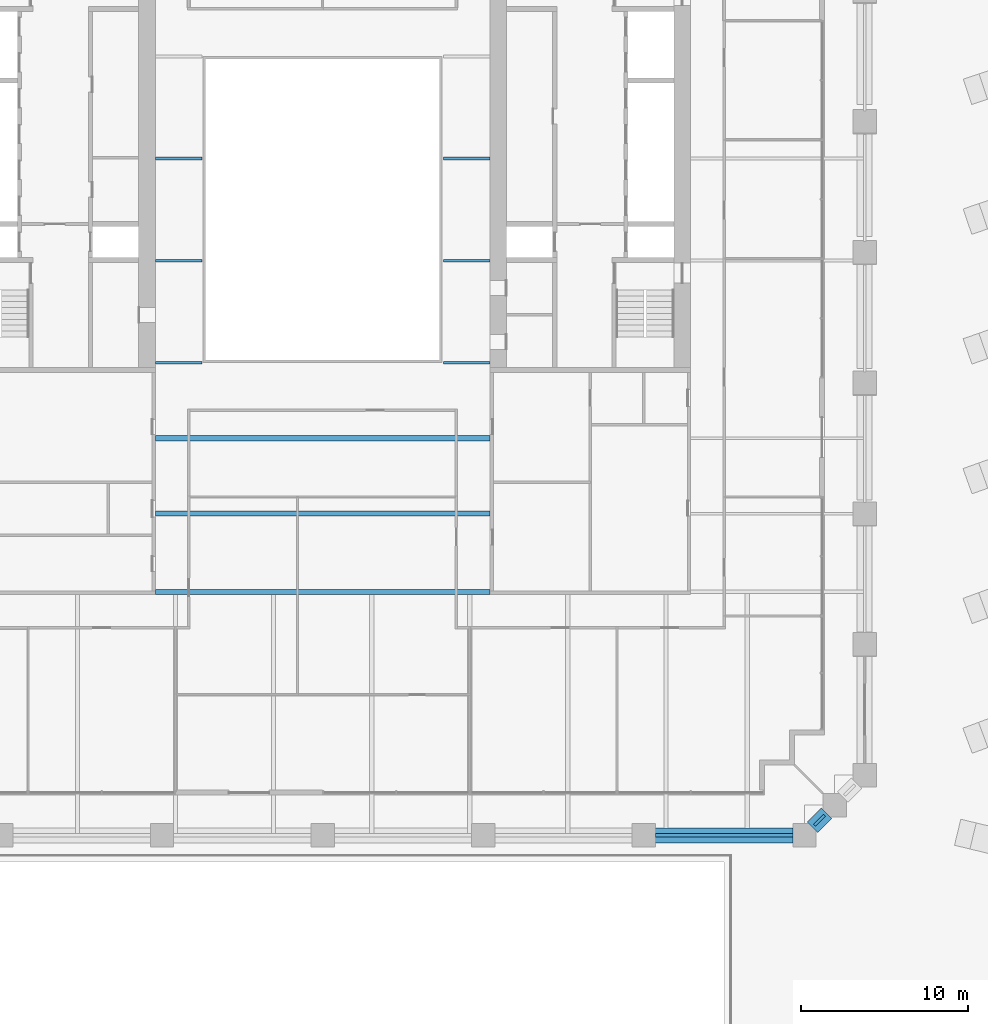
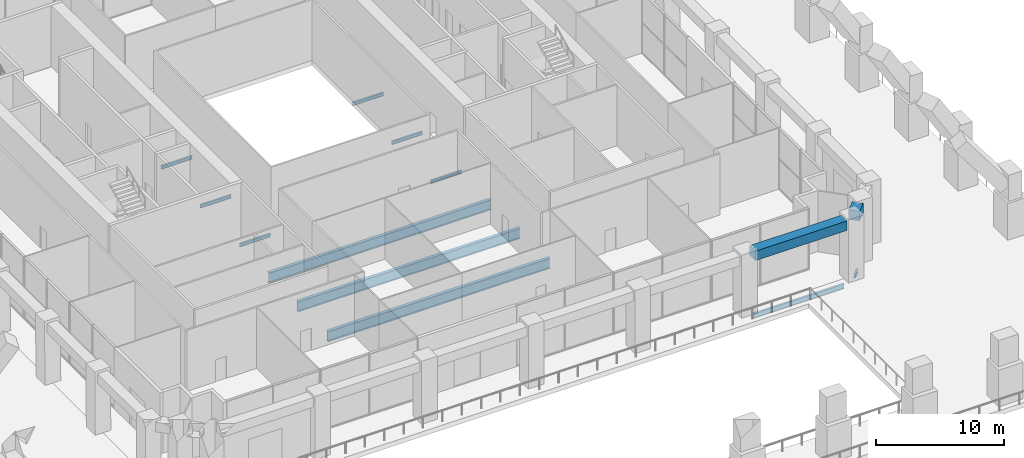
# One storey, part 5 of 20: 13 beams.
"""IFC4 building model written with IfcOpenShell, lengths in metres."""

from ifc_helpers import new_model, si_unit, direction, frame, origin, origin_2d, place, context, subcontext, project, spatial, rectangle, i_section, extrude, material, material_profile, profile_set, type_object, element, save


model = new_model("IFC4")

# Units and contexts
model_context = context("Model", 3, precision=1e-05, world=origin(), true_north=direction((0.0, 1.0)))
body_context = subcontext(model_context, "Body", "Model", "MODEL_VIEW")
ifc_project = project(units=[si_unit("LENGTHUNIT", "METRE"), si_unit("AREAUNIT", "SQUARE_METRE"), si_unit("VOLUMEUNIT", "CUBIC_METRE"), si_unit("PLANEANGLEUNIT", "RADIAN"), si_unit("MASSUNIT", "GRAM", prefix="KILO")], contexts=[model_context])

# Site, building, storey
site_placement = place(None, origin())
site = spatial("IfcSite", under=ifc_project, at=site_placement, CompositionType="ELEMENT")
building_placement = place(site_placement, origin())
building = spatial("IfcBuilding", under=site, at=building_placement, Name="Ogive Exchange Tower", CompositionType="ELEMENT")
storey_placement = place(building_placement, frame((0.0, 0.0, 33.60009765625)))
storey = spatial("IfcBuildingStorey", under=building, at=storey_placement, Name="L06", CompositionType="ELEMENT", Elevation=33.60009765625)

# Beams
ifc_material_1 = material(Name="Steel ASTM A992 Gr50", Category="steel")
ifc_material_profile_1 = material_profile(ifc_material_1, i_section(OverallWidth=0.300048828125, OverallDepth=0.969970703125, WebThickness=0.01611328125, FlangeThickness=0.02099609375, at=origin_2d()), Name="W1000x222")
ifc_profile_set_1 = profile_set([ifc_material_profile_1], Name="Steel ASTM A992 Gr50")
beam_type_1 = type_object("IfcBeamType", Name="Floor beam W1000x222", PredefinedType="JOIST", material=ifc_profile_set_1)
for number, where, z_axis, x_axis, name in (
    (1, (-10.0, -11.17822265625, -0.93505859375), (1.0, 0.0, 0.0), (0.0, 1.0, 0.0), "Floor beam"),
    (2, (-10.0, -6.666748046875, -0.93505859375), (1.0, 0.0, 0.0), (0.0, 1.0, 0.0), "Floor beam"),
):
    element("IfcBeam", number, at=place(storey_placement, frame(where, z_axis=z_axis, x_axis=x_axis)), inside=storey, type_object=beam_type_1, Name=name, PredefinedType="JOIST", context=body_context, shape_type="SweptSolid", body=[
        extrude(i_section(OverallWidth=0.300048828125, OverallDepth=0.969970703125, WebThickness=0.01611328125, FlangeThickness=0.02099609375, at=origin_2d()), origin(), (0.0, 0.0, 1.0), 20.0),
    ])
ifc_material_profile_2 = material_profile(ifc_material_1, i_section(OverallWidth=0.1650390625, OverallDepth=0.31005859375, WebThickness=0.005859375, FlangeThickness=0.009765625, at=origin_2d()), Name="W310x38.7")
ifc_profile_set_2 = profile_set([ifc_material_profile_2], Name="Steel ASTM A992 Gr50")
beam_type_2 = type_object("IfcBeamType", Name="Floor beam W310x38.7", PredefinedType="JOIST", material=ifc_profile_set_2)
for number, where, z_axis, x_axis, name in (
    (3, (-10.0, 3.9482421875, -0.60498046875), (1.0, 0.0, 0.0), (0.0, 1.0, 0.0), "Floor beam"),
    (4, (7.219970703125, 3.9482421875, -0.60498046875), (1.0, 0.0, 0.0), (0.0, 1.0, 0.0), "Floor beam"),
    (5, (-10.0, 10.0517578125, -0.60498046875), (1.0, 0.0, 0.0), (0.0, 1.0, 0.0), "Floor beam"),
    (6, (7.219970703125, 10.0517578125, -0.60498046875), (1.0, 0.0, 0.0), (0.0, 1.0, 0.0), "Floor beam"),
):
    element("IfcBeam", number, at=place(storey_placement, frame(where, z_axis=z_axis, x_axis=x_axis)), inside=storey, type_object=beam_type_2, Name=name, PredefinedType="JOIST", context=body_context, shape_type="SweptSolid", body=[
        extrude(i_section(OverallWidth=0.1650390625, OverallDepth=0.31005859375, WebThickness=0.005859375, FlangeThickness=0.009765625, at=origin_2d()), origin(), (0.0, 0.0, 1.0), 2.780029296875),
    ])
ifc_material_profile_3 = material_profile(ifc_material_1, i_section(OverallWidth=0.300048828125, OverallDepth=0.97998046875, WebThickness=0.0166015625, FlangeThickness=0.026123046875, at=origin_2d()), Name="W1000x249")
ifc_profile_set_3 = profile_set([ifc_material_profile_3], Name="Steel ASTM A992 Gr50")
beam_type_3 = type_object("IfcBeamType", Name="Girder W1000x249", PredefinedType="BEAM", material=ifc_profile_set_3)
beam_1_placement = place(storey_placement, frame((-10.0, -15.844970703125, -0.940185546875), z_axis=(1.0, 0.0, 0.0), x_axis=(0.0, 1.0, 0.0)))
element("IfcBeam", 7, at=beam_1_placement, inside=storey, type_object=beam_type_3, Name="Header girder", PredefinedType="BEAM", context=body_context, shape_type="SweptSolid", body=[
    extrude(i_section(OverallWidth=0.300048828125, OverallDepth=0.97998046875, WebThickness=0.0166015625, FlangeThickness=0.026123046875, at=origin_2d()), origin(), (0.0, 0.0, 1.0), 20.0),
])
ifc_material_profile_4 = material_profile(ifc_material_1, i_section(OverallWidth=0.1650390625, OverallDepth=0.31005859375, WebThickness=0.005859375, FlangeThickness=0.009765625, at=origin_2d()), Name="W310x38.7")
ifc_profile_set_4 = profile_set([ifc_material_profile_4], Name="Steel ASTM A992 Gr50")
beam_type_4 = type_object("IfcBeamType", Name="Girder W310x38.7", PredefinedType="BEAM", material=ifc_profile_set_4)
beam_2_placement = place(storey_placement, frame((29.39404296875, -29.805908203125, -0.60498046875), z_axis=(0.707247821729, 0.706965712506, 0.0), x_axis=(-0.706965712506, 0.707247821729, 0.0)))
element("IfcBeam", 8, at=beam_2_placement, inside=storey, type_object=beam_type_4, Name="Girder", PredefinedType="BEAM", context=body_context, shape_type="SweptSolid", body=[
    extrude(i_section(OverallWidth=0.1650390625, OverallDepth=0.31005859375, WebThickness=0.005859375, FlangeThickness=0.009765625, at=origin_2d()), origin(), (0.0, 0.0, 1.0), 0.865478515625),
])
for number, where, z_axis, x_axis, name in (
    (9, (-10.0, -2.155029296875, -0.60498046875), (1.0, 0.0, 0.0), (0.0, 1.0, 0.0), "Trimmer girder"),
    (10, (7.219970703125, -2.155029296875, -0.60498046875), (1.0, 0.0, 0.0), (0.0, 1.0, 0.0), "Trimmer girder"),
):
    element("IfcBeam", number, at=place(storey_placement, frame(where, z_axis=z_axis, x_axis=x_axis)), inside=storey, type_object=beam_type_4, Name=name, PredefinedType="BEAM", context=body_context, shape_type="SweptSolid", body=[
        extrude(i_section(OverallWidth=0.1650390625, OverallDepth=0.31005859375, WebThickness=0.005859375, FlangeThickness=0.009765625, at=origin_2d()), origin(), (0.0, 0.0, 1.0), 2.780029296875),
    ])
ifc_material_profile_5 = material_profile(ifc_material_1, i_section(OverallWidth=0.19091796875, OverallDepth=0.45703125, WebThickness=0.009033203125, FlangeThickness=0.014404296875, at=origin_2d()), Name="W460x74")
ifc_profile_set_5 = profile_set([ifc_material_profile_5], Name="Steel ASTM A992 Gr50")
beam_type_5 = type_object("IfcBeamType", Name="Girder W460x74", PredefinedType="BEAM", material=ifc_profile_set_5)
beam_3_placement = place(storey_placement, frame((19.89990234375, -30.39990234375, -0.6787109375), z_axis=(1.0, 0.0, 0.0), x_axis=(0.0, 1.0, 0.0)))
element("IfcBeam", 11, at=beam_3_placement, inside=storey, type_object=beam_type_5, Name="Girder", PredefinedType="BEAM", context=body_context, shape_type="SweptSolid", body=[
    extrude(i_section(OverallWidth=0.19091796875, OverallDepth=0.45703125, WebThickness=0.009033203125, FlangeThickness=0.014404296875, at=origin_2d()), origin(), (0.0, 0.0, 1.0), 8.2001953125),
])
ifc_material_2 = material(Name="Precast concrete C70/85 (limestone faced)", Category="masonry")
ifc_material_profile_6 = material_profile(ifc_material_2, rectangle(XDim=0.89990234375, YDim=0.89990234375, at=origin_2d()), Name="900 x 900")
ifc_profile_set_6 = profile_set([ifc_material_profile_6], Name="Precast concrete C70/85 (limestone faced)")
beam_type_6 = type_object("IfcBeamType", Name="Precast spandrel 900 x 900 C70/85", PredefinedType="SPANDREL", material=ifc_profile_set_6)
beam_4_placement = place(storey_placement, frame((19.8798828125, -30.39990234375, 5.2998046875), z_axis=(1.0, 0.0, 0.0), x_axis=(0.0, 1.0, 0.0)))
element("IfcBeam", 12, at=beam_4_placement, inside=storey, type_object=beam_type_6, Name="Spandrel 6", PredefinedType="SPANDREL", context=body_context, shape_type="SweptSolid", body=[
    extrude(rectangle(XDim=0.89990234375, YDim=0.89990234375, at=origin_2d()), origin(), (0.0, 0.0, 1.0), 8.240234375),
])
beam_5_placement = place(storey_placement, frame((29.287841796875, -29.912109375, 5.2998046875), z_axis=(0.707106781187, 0.707106781187, 0.0), x_axis=(-0.707106781187, 0.707106781187, 0.0)))
element("IfcBeam", 13, at=beam_5_placement, inside=storey, type_object=beam_type_6, Name="Spandrel 7", PredefinedType="SPANDREL", context=body_context, shape_type="SweptSolid", body=[
    extrude(rectangle(XDim=0.89990234375, YDim=0.89990234375, at=origin_2d()), origin(), (0.0, 0.0, 1.0), 1.16552734375),
])

save(model, "model.ifc")
